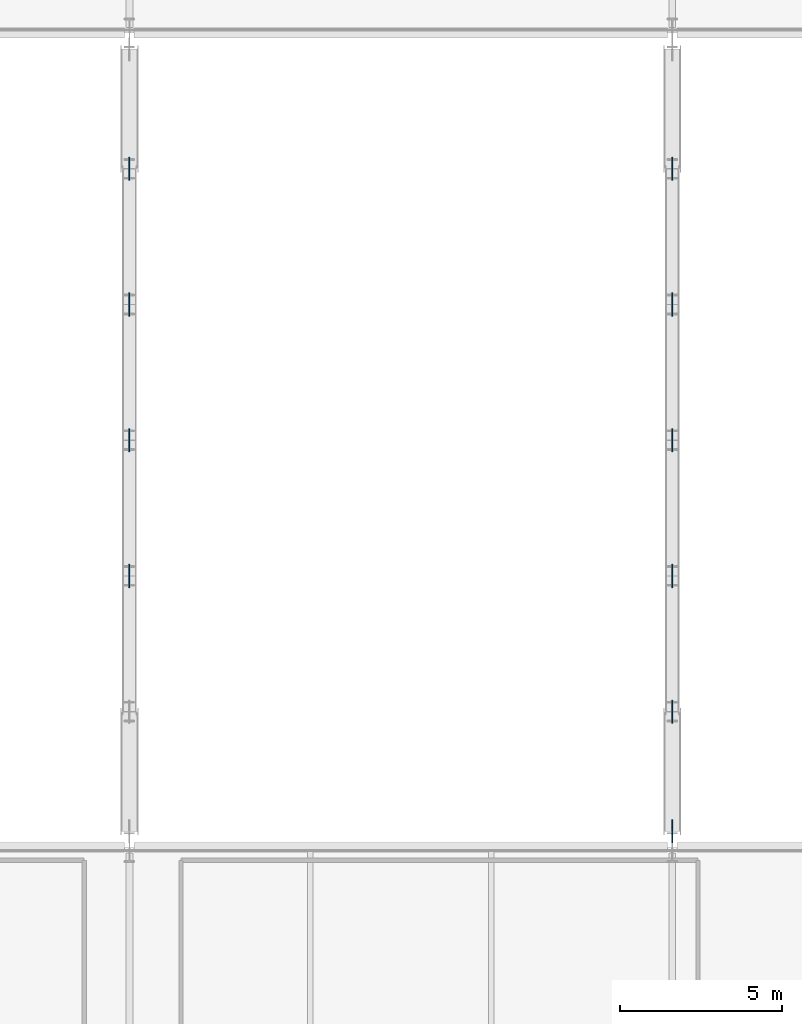
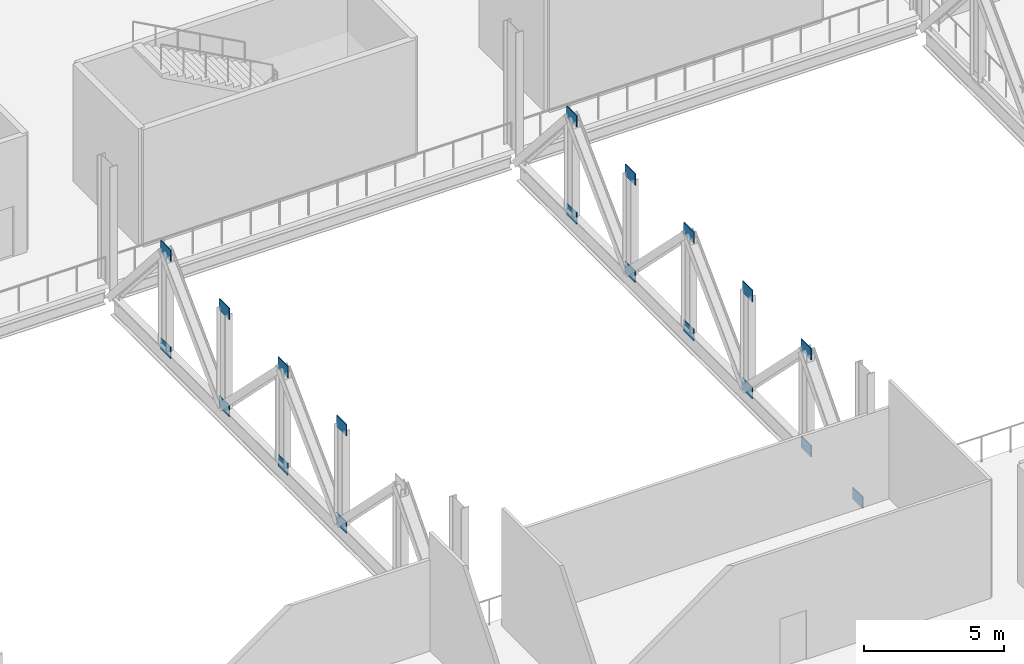
# One storey, part 55 of 84: 19 plates.
"""IFC4 building model written with IfcOpenShell, lengths in metres."""

from ifc_helpers import new_model, si_unit, direction, frame, origin, origin_2d, place, context, subcontext, project, spatial, rectangle, extrude, material, layer, layer_set, type_object, element, save


model = new_model("IFC4")

# Units and contexts
model_context = context("Model", 3, precision=1e-05, world=origin(), true_north=direction((0.0, 1.0)))
body_context = subcontext(model_context, "Body", "Model", "MODEL_VIEW")
ifc_project = project(units=[si_unit("LENGTHUNIT", "METRE"), si_unit("AREAUNIT", "SQUARE_METRE"), si_unit("VOLUMEUNIT", "CUBIC_METRE"), si_unit("PLANEANGLEUNIT", "RADIAN"), si_unit("MASSUNIT", "GRAM", prefix="KILO")], contexts=[model_context])

# Site, building, storey
site_placement = place(None, origin())
site = spatial("IfcSite", under=ifc_project, at=site_placement, CompositionType="ELEMENT")
building_placement = place(site_placement, origin())
building = spatial("IfcBuilding", under=site, at=building_placement, Name="Kimbaza Rail Terminus", CompositionType="ELEMENT")
storey_placement = place(building_placement, frame((0.0, 0.0, 5.39990234375)))
storey = spatial("IfcBuildingStorey", under=building, at=storey_placement, Name="L01", CompositionType="ELEMENT", Elevation=5.39990234375)

# Plates
ifc_material = material(Name="Steel S355", Category="steel")
ifc_layer = layer(ifc_material, 0.034912109375)
ifc_layer_set = layer_set([ifc_layer], Name="Steel S355")
plate_type = type_object("IfcPlateType", Name="STR-PL-WT01", PredefinedType="USERDEFINED", material=ifc_layer_set)
for number, where, z_axis, x_axis, name in (
    (1, (122.39990234375, 63.39990234375, -0.52685546875), (0.0, 0.0, 1.0), (1.0, 0.0, 0.0), "Warren Truss Gusset Plate GP-01 WT-04"),
    (2, (122.39990234375, 63.39990234375, 3.72509765625), (0.0, 0.0, 1.0), (1.0, 0.0, 0.0), "Warren Truss Gusset Plate GP-01 WT-04"),
    (3, (122.39990234375, 67.60009765625, -0.52685546875), (0.0, 0.0, 1.0), (1.0, 0.0, 0.0), "Warren Truss Gusset Plate GP-01 WT-04"),
    (4, (122.39990234375, 67.60009765625, 3.72509765625), (0.0, 0.0, 1.0), (1.0, 0.0, 0.0), "Warren Truss Gusset Plate GP-01 WT-04"),
    (5, (122.39990234375, 71.800048828125, -0.52685546875), (0.0, 0.0, 1.0), (1.0, 0.0, 0.0), "Warren Truss Gusset Plate GP-01 WT-04"),
    (6, (122.39990234375, 71.800048828125, 3.72509765625), (0.0, 0.0, 1.0), (1.0, 0.0, 0.0), "Warren Truss Gusset Plate GP-01 WT-04"),
    (7, (122.39990234375, 76.0, -0.52685546875), (0.0, 0.0, 1.0), (1.0, 0.0, 0.0), "Warren Truss Gusset Plate GP-01 WT-04"),
    (8, (122.39990234375, 76.0, 3.72509765625), (0.0, 0.0, 1.0), (1.0, 0.0, 0.0), "Warren Truss Gusset Plate GP-01 WT-04"),
    (9, (139.199951171875, 59.199951171875, -0.52685546875), (0.0, 0.0, 1.0), (1.0, 0.0, 0.0), "Warren Truss Gusset Plate GP-01 WT-05"),
    (10, (139.199951171875, 59.199951171875, 3.72509765625), (0.0, 0.0, 1.0), (1.0, 0.0, 0.0), "Warren Truss Gusset Plate GP-01 WT-05"),
    (11, (139.199951171875, 63.39990234375, -0.52685546875), (0.0, 0.0, 1.0), (1.0, 0.0, 0.0), "Warren Truss Gusset Plate GP-01 WT-05"),
    (12, (139.199951171875, 63.39990234375, 3.72509765625), (0.0, 0.0, 1.0), (1.0, 0.0, 0.0), "Warren Truss Gusset Plate GP-01 WT-05"),
    (13, (139.199951171875, 67.60009765625, -0.52685546875), (0.0, 0.0, 1.0), (1.0, 0.0, 0.0), "Warren Truss Gusset Plate GP-01 WT-05"),
    (14, (139.199951171875, 67.60009765625, 3.72509765625), (0.0, 0.0, 1.0), (1.0, 0.0, 0.0), "Warren Truss Gusset Plate GP-01 WT-05"),
    (15, (139.199951171875, 71.800048828125, -0.52685546875), (0.0, 0.0, 1.0), (1.0, 0.0, 0.0), "Warren Truss Gusset Plate GP-01 WT-05"),
    (16, (139.199951171875, 71.800048828125, 3.72509765625), (0.0, 0.0, 1.0), (1.0, 0.0, 0.0), "Warren Truss Gusset Plate GP-01 WT-05"),
    (17, (139.199951171875, 76.0, -0.52685546875), (0.0, 0.0, 1.0), (1.0, 0.0, 0.0), "Warren Truss Gusset Plate GP-01 WT-05"),
    (18, (139.199951171875, 76.0, 3.72509765625), (0.0, 0.0, 1.0), (1.0, 0.0, 0.0), "Warren Truss Gusset Plate GP-01 WT-05"),
    (19, (139.199951171875, 55.5, -0.52685546875), (0.0, 0.0, 1.0), (1.0, 0.0, 0.0), "Warren Truss End Gusset Plate GP-01 WT-05"),
):
    element("IfcPlate", number, at=place(storey_placement, frame(where, z_axis=z_axis, x_axis=x_axis)), inside=storey, type_object=plate_type, Name=name, ObjectType="GUSSET PLATE", PredefinedType="USERDEFINED", context=body_context, shape_type="SweptSolid", body=[
        extrude(rectangle(XDim=0.034912109375, YDim=0.719970703125, at=origin_2d()), origin(), (0.0, 0.0, 1.0), 0.5),
    ])

save(model, "model.ifc")
